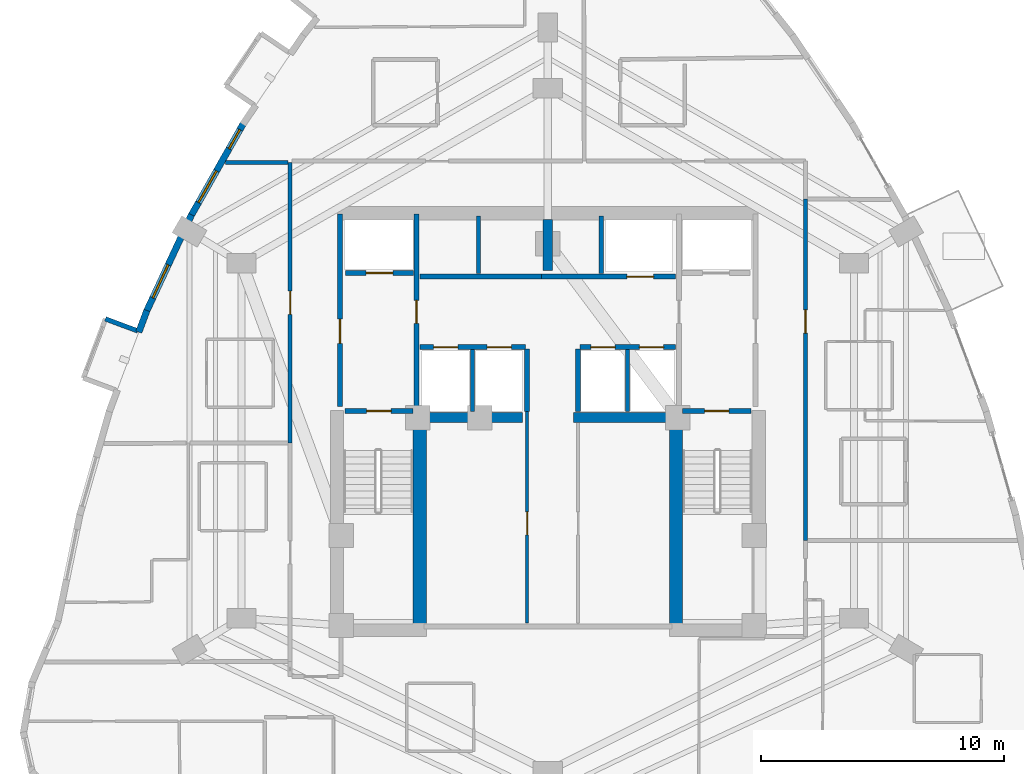
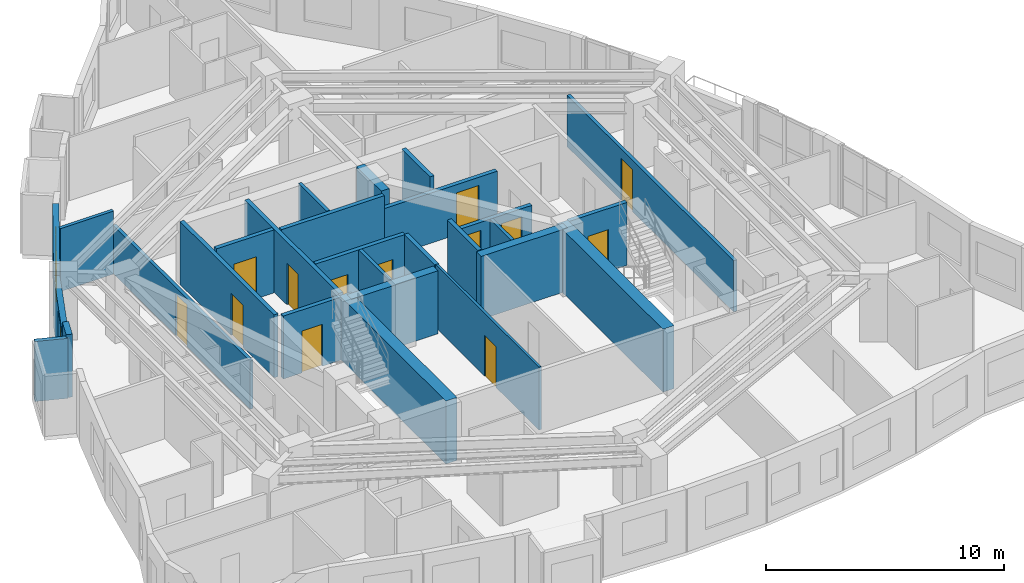
# One storey, part 10 of 14: 28 walls, 13 doors, 3 windows, 16 openings.
"""IFC4 building model written with IfcOpenShell, lengths in metres."""

import ifcopenshell
import ifcopenshell.guid

model = None  # the IFC model being written
_history = None  # IfcOwnerHistory: only IFC2X3 demands one
_inside = {}  # id of a spatial element -> (the spatial element, [elements in it])
_under = {}  # id of a project, library or spatial element -> (it, [spatial elements below it])
_declared = {}  # id of a project -> (the project, [libraries it declares])
_typed = {}  # id of a type object -> (the type object, [elements of that type])
_made_of = {}  # id of a material, layer set ... -> (it, [elements and type objects made of it])


def new_model(schema):
    """Start an empty IFC model of exactly this schema.

    Asked for "IFC4X3", IfcOpenShell would pick the latest addendum, in which some entities
    have other attributes; the version numbers below select the first issue.
    IFC2X3 requires an IfcOwnerHistory on every rooted entity: one is made here for all.
    """
    global model, _history
    if schema == "IFC4X3":
        model = ifcopenshell.file(schema_version=(4, 3, 0, 0))
    else:
        model = ifcopenshell.file(schema=schema)
    _inside.clear()
    _under.clear()
    _declared.clear()
    _typed.clear()
    _made_of.clear()
    _history = None
    if model.schema == "IFC2X3":
        org = make("IfcOrganization", Name="unknown")
        user = make(
            "IfcPersonAndOrganization",
            ThePerson=make("IfcPerson", FamilyName="unknown"),
            TheOrganization=org,
        )
        app = make(
            "IfcApplication",
            ApplicationDeveloper=org,
            Version="unknown",
            ApplicationFullName="unknown",
            ApplicationIdentifier="unknown",
        )
        _history = make(
            "IfcOwnerHistory",
            OwningUser=user,
            OwningApplication=app,
            ChangeAction="ADDED",
            CreationDate=0,
        )
    return model


def make(cls, **values):
    """One entity of the class cls with the attributes given. An attribute that is None is left unset."""
    return model.create_entity(
        cls, **{name: value for name, value in values.items() if value is not None}
    )


def rooted(cls, **values):
    """An entity with a GlobalId (a new one), such as an element, a storey or a relation."""
    return make(cls, GlobalId=ifcopenshell.guid.new(), OwnerHistory=_history, **values)


def si_unit(unit_type, name, prefix=None):
    """IfcSIUnit, for example si_unit("LENGTHUNIT", "METRE", prefix="MILLI")."""
    return make("IfcSIUnit", UnitType=unit_type, Prefix=prefix, Name=name)


def assignment(units):
    """IfcUnitAssignment: the units of a project."""
    return None if units is None else make("IfcUnitAssignment", Units=units)


def point(xyz):
    """IfcCartesianPoint."""
    return None if xyz is None else make("IfcCartesianPoint", Coordinates=xyz)


def direction(xyz):
    """IfcDirection."""
    return None if xyz is None else make("IfcDirection", DirectionRatios=xyz)


def frame(location, z_axis=None, x_axis=None):
    """IfcAxis2Placement3D, a coordinate frame: its origin and axes. An axis left out is left unset."""
    return make(
        "IfcAxis2Placement3D",
        Location=point(location),
        Axis=direction(z_axis),
        RefDirection=direction(x_axis),
    )


def frame_2d(location, x_axis=None):
    """IfcAxis2Placement2D, a coordinate frame in the plane: its origin and x axis."""
    return make(
        "IfcAxis2Placement2D", Location=point(location), RefDirection=direction(x_axis)
    )


def origin():
    """The frame at (0, 0, 0) with its axes left unset."""
    return frame((0.0, 0.0, 0.0))


def place(relative_to, where):
    """IfcLocalPlacement: puts the frame where relative to a parent placement (None: the world)."""
    return make(
        "IfcLocalPlacement", PlacementRelTo=relative_to, RelativePlacement=where
    )


def context(
    kind, dimensions, precision=None, world=None, true_north=None, identifier=None
):
    """IfcGeometricRepresentationContext, for example the 3D "Model" context."""
    return make(
        "IfcGeometricRepresentationContext",
        ContextIdentifier=identifier,
        ContextType=kind,
        CoordinateSpaceDimension=dimensions,
        Precision=precision,
        WorldCoordinateSystem=world,
        TrueNorth=true_north,
    )


def subcontext(parent, identifier, kind, view, scale=None):
    """IfcGeometricRepresentationSubContext, for example "Body" below "Model"."""
    return make(
        "IfcGeometricRepresentationSubContext",
        ContextIdentifier=identifier,
        ContextType=kind,
        ParentContext=parent,
        TargetScale=scale,
        TargetView=view,
    )


def project(units=None, contexts=None):
    """IfcProject with its units and contexts."""
    return rooted(
        "IfcProject",
        Name="project",
        RepresentationContexts=contexts,
        UnitsInContext=assignment(units),
    )


def spatial(cls, under=None, at=None, **own):
    """A site, building, storey or space (cls), placed at a placement, below another one or the project."""
    s = rooted(cls, ObjectPlacement=at, **own)
    if under is not None:
        _under.setdefault(under.id(), (under, []))[1].append(s)
    return s


def profile(cls, at=None, kind="AREA", **sizes):
    """A parametric profile (cls). Its sizes go by their IFC names, for example OverallWidth=200.0."""
    return make(cls, ProfileType=kind, Position=at, **sizes)


def rectangle(**sizes):
    """IfcRectangleProfileDef."""
    return profile("IfcRectangleProfileDef", **sizes)


def extrude(swept, where, along, depth):
    """IfcExtrudedAreaSolid: the profile swept, set in the frame where, extruded along a direction by depth."""
    return make(
        "IfcExtrudedAreaSolid",
        SweptArea=swept,
        Position=where,
        ExtrudedDirection=direction(along),
        Depth=depth,
    )


def shape(context_of_items, identifier, shape_type, items):
    """IfcShapeRepresentation: the items that make up one representation, for example the "Body"."""
    return make(
        "IfcShapeRepresentation",
        ContextOfItems=context_of_items,
        RepresentationIdentifier=identifier,
        RepresentationType=shape_type,
        Items=items,
    )


def material(Name=None, Category=None):
    """IfcMaterial."""
    return make("IfcMaterial", Name=Name, Category=Category)


def layer(
    of_material, thickness, ventilated=None, Name=None, Category=None, Priority=None
):
    """IfcMaterialLayer: one layer of a wall or slab, of a material (None: an air gap)."""
    return make(
        "IfcMaterialLayer",
        Material=of_material,
        LayerThickness=thickness,
        IsVentilated=ventilated,
        Name=Name,
        Category=Category,
        Priority=Priority,
    )


def layer_set(layers, Name=None):
    """IfcMaterialLayerSet."""
    return make("IfcMaterialLayerSet", MaterialLayers=layers, LayerSetName=Name)


def made_of(thing, what):
    """Note that an element or type object is made of a material, layer set ...; save() writes the relation."""
    if what is not None:
        _made_of.setdefault(what.id(), (what, []))[1].append(thing)
    return thing


def type_object(cls, material=None, **own):
    """A type object (cls), such as IfcWallType, which elements share."""
    return made_of(rooted(cls, **own), material)


def element(
    cls,
    number,
    at=None,
    inside=None,
    cuts=None,
    type_object=None,
    material=None,
    context=None,
    identifier="Body",
    shape_type=None,
    held_by="IfcProductDefinitionShape",
    body=None,
    shapes=None,
    **own,
):
    """One element of the class cls, such as IfcWall. Its Tag is "e" and its number.

    at: its placement. inside: the storey or other place that contains it. cuts: it is an
    opening in that element (IfcRelVoidsElement). A single representation is given by context,
    identifier, shape_type and body (its items); several are given by shapes. held_by: the class
    of the entity that holds the representations. save() writes the other relations.
    """
    e = rooted(cls, Tag="e%d" % number, ObjectPlacement=at, **own)
    if body is not None:
        shapes = [shape(context, identifier, shape_type, body)]
    if shapes is not None:
        e.Representation = make(held_by, Representations=shapes)
    if inside is not None:
        _inside.setdefault(inside.id(), (inside, []))[1].append(e)
    if cuts is not None:
        rooted(
            "IfcRelVoidsElement", RelatingBuildingElement=cuts, RelatedOpeningElement=e
        )
    if type_object is not None:
        _typed.setdefault(type_object.id(), (type_object, []))[1].append(e)
    return made_of(e, material)


def fill(opening, filler):
    """IfcRelFillsElement: the door or window that sits in an opening."""
    return rooted(
        "IfcRelFillsElement",
        RelatingOpeningElement=opening,
        RelatedBuildingElement=filler,
    )


def aggregate(whole, parts):
    """IfcRelAggregates: a whole, such as a stair, and the parts it consists of."""
    return rooted("IfcRelAggregates", RelatingObject=whole, RelatedObjects=parts)


def save(model, path):
    """Write the relations noted so far, then the file.

    IfcRelAggregates (storeys below a building ...), IfcRelContainedInSpatialStructure (elements
    in a storey), IfcRelDefinesByType, IfcRelAssociatesMaterial and IfcRelDeclares: one each for
    every whole, place, type object, material and project.
    """
    for whole, parts in _under.values():
        aggregate(whole, parts)
    for where, things in _inside.values():
        rooted(
            "IfcRelContainedInSpatialStructure",
            RelatedElements=things,
            RelatingStructure=where,
        )
    for kind, things in _typed.values():
        rooted("IfcRelDefinesByType", RelatedObjects=things, RelatingType=kind)
    for what, things in _made_of.values():
        rooted("IfcRelAssociatesMaterial", RelatedObjects=things, RelatingMaterial=what)
    for by, libraries in _declared.values():
        rooted("IfcRelDeclares", RelatingContext=by, RelatedDefinitions=libraries)
    model.write(path)


model = new_model("IFC4")

# Units and contexts
model_context = context("Model", 3, precision=1e-05, world=origin(), true_north=direction((0.0, 1.0)))
body_context = subcontext(model_context, "Body", "Model", "MODEL_VIEW")
ifc_project = project(units=[si_unit("LENGTHUNIT", "METRE"), si_unit("AREAUNIT", "SQUARE_METRE"), si_unit("VOLUMEUNIT", "CUBIC_METRE"), si_unit("PLANEANGLEUNIT", "RADIAN"), si_unit("MASSUNIT", "GRAM", prefix="KILO")], contexts=[model_context])

# Site, building, storey
site_placement = place(None, origin())
site = spatial("IfcSite", under=ifc_project, at=site_placement, CompositionType="ELEMENT")
building_placement = place(site_placement, origin())
building = spatial("IfcBuilding", under=site, at=building_placement, Name="Miruveldt Soraemaru", CompositionType="ELEMENT")
storey_placement = place(building_placement, frame((0.0, 0.0, 142.39990234375)))
storey = spatial("IfcBuildingStorey", under=building, at=storey_placement, Name="L39", CompositionType="ELEMENT", Elevation=142.39990234375)

# Walls
ifc_material_1 = material(Name="White powder-coated aluminium EN AW-6060 T6", Category="aluminium")
ifc_layer_1 = layer(ifc_material_1, 0.18994140625, Name="White powder-coated aluminium EN AW-6060 T6", Category="aluminium")
ifc_layer_set_1 = layer_set([ifc_layer_1], Name="White powder-coated aluminium EN AW-6060 T6")
wall_type_1 = type_object("IfcWallType", Name="WALL-BAY-ALU190", PredefinedType="SOLIDWALL", material=ifc_layer_set_1)
wall_1_placement = place(storey_placement, frame((27.132080078125, 47.614501953125, 0.0), z_axis=(0.0, 0.0, 1.0), x_axis=(-0.937108491365, 0.349038214831, 0.0)))
element("IfcWall", 1, at=wall_1_placement, inside=storey, type_object=wall_type_1, Name="L39 Bay Window Side Cheek 1L", PredefinedType="SOLIDWALL", context=body_context, shape_type="SweptSolid", body=[
    extrude(rectangle(XDim=1.4248046875, YDim=0.18994140625, at=frame_2d((0.71240234375, 0.0))), origin(), (0.0, 0.0, 1.0), 3.085205078125),
])
ifc_material_2 = material(Name="Concrete C70/85 (70 MPa)", Category="concrete")
ifc_layer_2 = layer(ifc_material_2, 0.5, Name="Concrete C70/85 (70 MPa)", Category="concrete")
ifc_layer_set_2 = layer_set([ifc_layer_2], Name="Concrete C70/85 (70 MPa)")
wall_type_2 = type_object("IfcWallType", Name="WALL-BW-500", PredefinedType="SHEAR", material=ifc_layer_set_2)
wall_2_placement = place(storey_placement, frame((44.0, 50.10009765625, 0.0), z_axis=(0.0, 0.0, 1.0), x_axis=(0.0, 1.0, 0.0)))
element("IfcWall", 2, at=wall_2_placement, inside=storey, type_object=wall_type_2, Name="L39 Core Buttress Shear Wall BN", PredefinedType="SHEAR", context=body_context, shape_type="SweptSolid", body=[
    extrude(rectangle(XDim=2.099853515625, YDim=0.39990234375, at=frame_2d((1.0498046875, 0.0))), origin(), (0.0, 0.0, 1.0), 3.235107421875),
])
for number, where, z_axis, x_axis, name in (
    (3, (38.75, 44.050048828125, 0.0), (0.0, 0.0, 1.0), (1.0, 0.0, 0.0), "L39 Core Buttress Shear Wall BW"),
    (4, (45.050048828125, 44.050048828125, 0.0), (0.0, 0.0, 1.0), (1.0, 0.0, 0.0), "L39 Core Buttress Shear Wall BE"),
):
    element("IfcWall", number, at=place(storey_placement, frame(where, z_axis=z_axis, x_axis=x_axis)), inside=storey, type_object=wall_type_2, Name=name, PredefinedType="SHEAR", context=body_context, shape_type="SweptSolid", body=[
        extrude(rectangle(XDim=4.199951171875, YDim=0.39990234375, at=frame_2d((2.10009765625, 0.0))), origin(), (0.0, 0.0, 1.0), 3.235107421875),
    ])
ifc_layer_3 = layer(ifc_material_2, 0.550048828125, Name="Concrete C70/85 (70 MPa)", Category="concrete")
ifc_layer_set_3 = layer_set([ifc_layer_3], Name="Concrete C70/85 (70 MPa)")
wall_type_3 = type_object("IfcWallType", Name="WALL-CW-550", PredefinedType="SHEAR", material=ifc_layer_set_3)
for number, where, z_axis, x_axis, name in (
    (5, (38.72509765625, 35.39990234375, 0.0), (0.0, 0.0, 1.0), (0.0, 1.0, 0.0), "L39 Central Core Shear Wall SW-INT"),
    (6, (49.27490234375, 35.39990234375, 0.0), (0.0, 0.0, 1.0), (0.0, 1.0, 0.0), "L39 Central Core Shear Wall SE-INT"),
):
    element("IfcWall", number, at=place(storey_placement, frame(where, z_axis=z_axis, x_axis=x_axis)), inside=storey, type_object=wall_type_3, Name=name, PredefinedType="SHEAR", context=body_context, shape_type="SweptSolid", body=[
        extrude(rectangle(XDim=8.9501953125, YDim=0.550048828125, at=frame_2d((4.47509765625, 0.0))), origin(), (0.0, 0.0, 1.0), 3.235107421875),
    ])

# Wall, openings, windows
ifc_material_3 = material(Name="Precast concrete C45/55 (45 MPa)", Category="concrete")
ifc_layer_4 = layer(ifc_material_3, 0.27001953125, Name="Precast concrete C45/55 (45 MPa)", Category="concrete")
ifc_layer_set_4 = layer_set([ifc_layer_4], Name="Precast concrete C45/55 (45 MPa)")
wall_type_4 = type_object("IfcWallType", Name="WALL-EXT-PC270", PredefinedType="SOLIDWALL", material=ifc_layer_set_4)
wall_3_placement = place(storey_placement, frame((31.48828125, 56.173095703125, 0.0), z_axis=(0.0, 0.0, 1.0), x_axis=(-0.49336696039, -0.869821270374, 0.0)))
wall_3 = element("IfcWall", 7, at=wall_3_placement, inside=storey, type_object=wall_type_4, Name="L39 Precast Concrete Facade Wall 10", PredefinedType="SOLIDWALL", context=body_context, shape_type="SweptSolid", body=[
    extrude(rectangle(XDim=4.41455078125, YDim=0.27001953125, at=frame_2d((2.207275390625, 0.0))), origin(), (0.0, 0.0, 1.0), 3.235107421875),
])
opening_1_placement = place(wall_3_placement, frame((0.320068359375, 0.0, 0.780029296875)))
opening_1 = element("IfcOpeningElement", 8, at=opening_1_placement, cuts=wall_3, Name="Opening WN-7", PredefinedType="OPENING", context=body_context, shape_type="SweptSolid", body=[
    extrude(rectangle(XDim=0.89990234375, YDim=1.5, at=frame_2d((0.449951171875, 0.75))), frame((0.0, 0.14501953125, 0.0), z_axis=(0.0, -1.0, 0.0), x_axis=(1.0, 0.0, 0.0)), (0.0, 0.0, 1.0), 0.2900390625),
])
opening_2_placement = place(wall_3_placement, frame((2.26806640625, 0.0, 0.800048828125)))
opening_2 = element("IfcOpeningElement", 9, at=opening_2_placement, cuts=wall_3, Name="Opening WN-3", PredefinedType="OPENING", context=body_context, shape_type="SweptSolid", body=[
    extrude(rectangle(XDim=1.5, YDim=1.60009765625, at=frame_2d((0.75, 0.800048828125))), frame((0.0, 0.14501953125, 0.0), z_axis=(0.0, -1.0, 0.0), x_axis=(1.0, 0.0, 0.0)), (0.0, 0.0, 1.0), 0.2900390625),
])
ifc_material_4 = material(Name="Triple low-e insulated glazing", Category="glass")
window_type_1 = type_object("IfcWindowType", Name="WIN-PUNCH-1500x1600", PartitioningType="SINGLE_PANEL", PredefinedType="WINDOW", material=ifc_material_4)
window_1_placement = place(opening_2_placement, origin())
window_1 = element("IfcWindow", 10, at=window_1_placement, inside=storey, type_object=window_type_1, Name="L39 Punched Triple-Glazed Window 10.2", OverallHeight=1.60009765625, OverallWidth=1.5, PartitioningType="SINGLE_PANEL", PredefinedType="WINDOW", context=body_context, shape_type="SweptSolid", body=[
    extrude(rectangle(XDim=1.5, YDim=1.60009765625, at=frame_2d((0.75, 0.800048828125))), frame((0.0, 0.030029296875, 0.0), z_axis=(0.0, -1.0, 0.0), x_axis=(1.0, 0.0, 0.0)), (0.0, 0.0, 1.0), 0.06005859375),
])
fill(opening_2, window_1)
window_type_2 = type_object("IfcWindowType", Name="WIN-PUNCH-900x1500", PartitioningType="SINGLE_PANEL", PredefinedType="WINDOW", material=ifc_material_4)
window_2_placement = place(opening_1_placement, origin())
window_2 = element("IfcWindow", 11, at=window_2_placement, inside=storey, type_object=window_type_2, Name="L39 Punched Triple-Glazed Window 10.1", OverallHeight=1.5, OverallWidth=0.89990234375, PartitioningType="SINGLE_PANEL", PredefinedType="WINDOW", context=body_context, shape_type="SweptSolid", body=[
    extrude(rectangle(XDim=0.89990234375, YDim=1.5, at=frame_2d((0.449951171875, 0.75))), frame((0.0, 0.030029296875, 0.0), z_axis=(0.0, -1.0, 0.0), x_axis=(1.0, 0.0, 0.0)), (0.0, 0.0, 1.0), 0.06005859375),
])
fill(opening_1, window_2)

# Wall, opening, window
wall_4_placement = place(storey_placement, frame((29.342529296875, 52.3955078125, 0.0), z_axis=(0.0, 0.0, 1.0), x_axis=(-0.42228895576, -0.906461272114, 0.0)))
wall_4 = element("IfcWall", 12, at=wall_4_placement, inside=storey, type_object=wall_type_4, Name="L39 Precast Concrete Facade Wall 11", PredefinedType="SOLIDWALL", context=body_context, shape_type="SweptSolid", body=[
    extrude(rectangle(XDim=4.41455078125, YDim=0.27001953125, at=frame_2d((2.207275390625, 0.0))), origin(), (0.0, 0.0, 1.0), 2.635009765625),
])
opening_3_placement = place(wall_4_placement, frame((2.27197265625, 0.0, 0.800048828125)))
opening_3 = element("IfcOpeningElement", 13, at=opening_3_placement, cuts=wall_4, Name="Opening WN-3", PredefinedType="OPENING", context=body_context, shape_type="SweptSolid", body=[
    extrude(rectangle(XDim=1.5, YDim=1.60009765625, at=frame_2d((0.75, 0.800048828125))), frame((0.0, 0.14501953125, 0.0), z_axis=(0.0, -1.0, 0.0), x_axis=(1.0, 0.0, 0.0)), (0.0, 0.0, 1.0), 0.2900390625),
])
window_3_placement = place(opening_3_placement, origin())
window_3 = element("IfcWindow", 14, at=window_3_placement, inside=storey, type_object=window_type_1, Name="L39 Punched Triple-Glazed Window 11.1", OverallHeight=1.60009765625, OverallWidth=1.5, PartitioningType="SINGLE_PANEL", PredefinedType="WINDOW", context=body_context, shape_type="SweptSolid", body=[
    extrude(rectangle(XDim=1.5, YDim=1.60009765625, at=frame_2d((0.75, 0.800048828125))), frame((0.0, 0.030029296875, 0.0), z_axis=(0.0, -1.0, 0.0), x_axis=(1.0, 0.0, 0.0)), (0.0, 0.0, 1.0), 0.06005859375),
])
fill(opening_3, window_3)

# Wall
wall_5_placement = place(storey_placement, frame((27.505126953125, 48.45849609375, 0.0), z_axis=(0.0, 0.0, 1.0), x_axis=(-0.349069248763, -0.937096931789, 0.0)))
element("IfcWall", 15, at=wall_5_placement, inside=storey, type_object=wall_type_4, Name="L39 Precast Pier Wall 12A", PredefinedType="SOLIDWALL", context=body_context, shape_type="SweptSolid", body=[
    extrude(rectangle(XDim=0.951171875, YDim=0.27001953125, at=frame_2d((0.4755859375, 0.0))), origin(), (0.0, 0.0, 1.0), 3.235107421875),
])

# Wall, opening, door
ifc_material_5 = material(Name="Gypsum plasterboard lining", Category="gypsum")
ifc_layer_5 = layer(ifc_material_5, 0.1201171875, Name="Gypsum plasterboard lining", Category="gypsum")
ifc_layer_set_5 = layer_set([ifc_layer_5], Name="Gypsum plasterboard lining")
wall_type_5 = type_object("IfcWallType", Name="WALL-INT-P120", PredefinedType="PARTITIONING", material=ifc_layer_set_5)
wall_6_placement = place(storey_placement, frame((43.14990234375, 35.60009765625, 0.0), z_axis=(0.0, 0.0, 1.0), x_axis=(0.0, 1.0, 0.0)))
wall_6 = element("IfcWall", 16, at=wall_6_placement, inside=storey, type_object=wall_type_5, Name="L39 Core Compartment Wall SP-WL", PredefinedType="PARTITIONING", context=body_context, shape_type="SweptSolid", body=[
    extrude(rectangle(XDim=8.699951171875, YDim=0.1201171875, at=frame_2d((4.35009765625, 0.0))), origin(), (0.0, 0.0, 1.0), 3.235107421875),
])
opening_4_placement = place(wall_6_placement, frame((3.625, 0.0, 0.0)))
opening_4 = element("IfcOpeningElement", 17, at=opening_4_placement, cuts=wall_6, Name="Opening D2", PredefinedType="OPENING", context=body_context, shape_type="SweptSolid", body=[
    extrude(rectangle(XDim=0.949951171875, YDim=2.10009765625, at=frame_2d((0.47509765625, 1.050048828125))), frame((0.0, 0.070068359375, 0.0), z_axis=(0.0, -1.0, 0.0), x_axis=(1.0, 0.0, 0.0)), (0.0, 0.0, 1.0), 0.14013671875),
])
ifc_material_6 = material(Name="Anodised aluminium EN AW-6063 T6", Category="aluminium")
door_type_1 = type_object("IfcDoorType", Name="DOOR-INT-950", OperationType="NOTDEFINED", PredefinedType="DOOR", material=ifc_material_6)
door_1_placement = place(opening_4_placement, origin())
door_1 = element("IfcDoor", 18, at=door_1_placement, inside=storey, type_object=door_type_1, Name="L39 Fire Door", OperationType="SINGLE_SWING_LEFT", OverallHeight=2.10009765625, OverallWidth=0.949951171875, PredefinedType="DOOR", context=body_context, shape_type="SweptSolid", body=[
    extrude(rectangle(XDim=0.949951171875, YDim=2.10009765625, at=frame_2d((0.47509765625, 1.050048828125))), frame((0.0, 0.02490234375, 0.0), z_axis=(0.0, -1.0, 0.0), x_axis=(1.0, 0.0, 0.0)), (0.0, 0.0, 1.0), 0.050048828125),
])
fill(opening_4, door_1)

ifc_material_7 = material(Name="Concrete C40/50 (40 MPa)", Category="concrete")
ifc_layer_6 = layer(ifc_material_7, 0.159912109375, Name="Concrete C40/50 (40 MPa)", Category="concrete")
ifc_layer_set_6 = layer_set([ifc_layer_6], Name="Concrete C40/50 (40 MPa)")
wall_type_6 = type_object("IfcWallType", Name="WALL-INT-RC160", PredefinedType="SOLIDWALL", material=ifc_layer_set_6)
wall_7_placement = place(storey_placement, frame((54.60009765625, 39.00390625, 0.0), z_axis=(0.0, 0.0, 1.0), x_axis=(0.0, 1.0, 0.0)))
wall_7 = element("IfcWall", 19, at=wall_7_placement, inside=storey, type_object=wall_type_6, Name="L39 Partition Wall 12", PredefinedType="SOLIDWALL", context=body_context, shape_type="SweptSolid", body=[
    extrude(rectangle(XDim=14.041015625, YDim=0.159912109375, at=frame_2d((7.0205078125, 0.0))), origin(), (0.0, 0.0, 1.0), 2.635009765625),
])
opening_5_placement = place(wall_7_placement, frame((8.52587890625, 0.0, 0.0)))
opening_5 = element("IfcOpeningElement", 20, at=opening_5_placement, cuts=wall_7, Name="Opening FD2", PredefinedType="OPENING", context=body_context, shape_type="SweptSolid", body=[
    extrude(rectangle(XDim=0.949951171875, YDim=2.14990234375, at=frame_2d((0.47509765625, 1.074951171875))), frame((0.0, 0.08984375, 0.0), z_axis=(0.0, -1.0, 0.0), x_axis=(1.0, 0.0, 0.0)), (0.0, 0.0, 1.0), 0.179931640625),
])
door_type_2 = type_object("IfcDoorType", Name="DOOR-FD2-950", OperationType="NOTDEFINED", PredefinedType="DOOR", material=ifc_material_6)
door_2_placement = place(opening_5_placement, origin())
door_2 = element("IfcDoor", 21, at=door_2_placement, inside=storey, type_object=door_type_2, Name="L39 Unit 3907 Entrance Fire Door", OperationType="SINGLE_SWING_RIGHT", OverallHeight=2.14990234375, OverallWidth=0.949951171875, PredefinedType="DOOR", context=body_context, shape_type="SweptSolid", body=[
    extrude(rectangle(XDim=0.949951171875, YDim=2.14990234375, at=frame_2d((0.47509765625, 1.074951171875))), frame((0.0, 0.02490234375, 0.0), z_axis=(0.0, -1.0, 0.0), x_axis=(1.0, 0.0, 0.0)), (0.0, 0.0, 1.0), 0.050048828125),
])
fill(opening_5, door_2)

wall_8_placement = place(storey_placement, frame((33.39990234375, 54.547119140625, 0.0), z_axis=(0.0, 0.0, 1.0), x_axis=(0.0, -1.0, 0.0)))
wall_8 = element("IfcWall", 22, at=wall_8_placement, inside=storey, type_object=wall_type_6, Name="L39 Partition Wall 4", PredefinedType="SOLIDWALL", context=body_context, shape_type="SweptSolid", body=[
    extrude(rectangle(XDim=11.544189453125, YDim=0.159912109375, at=frame_2d((5.77197265625, 0.0))), origin(), (0.0, 0.0, 1.0), 2.47314453125),
])
opening_6_placement = place(wall_8_placement, frame((5.297119140625, 0.0, 0.0)))
opening_6 = element("IfcOpeningElement", 23, at=opening_6_placement, cuts=wall_8, Name="Opening FD2", PredefinedType="OPENING", context=body_context, shape_type="SweptSolid", body=[
    extrude(rectangle(XDim=0.949951171875, YDim=2.14990234375, at=frame_2d((0.47509765625, 1.074951171875))), frame((0.0, 0.08984375, 0.0), z_axis=(0.0, -1.0, 0.0), x_axis=(1.0, 0.0, 0.0)), (0.0, 0.0, 1.0), 0.179931640625),
])
door_3_placement = place(opening_6_placement, origin())
door_3 = element("IfcDoor", 24, at=door_3_placement, inside=storey, type_object=door_type_2, Name="L39 Unit CL03 Entrance Fire Door", OperationType="SINGLE_SWING_LEFT", OverallHeight=2.14990234375, OverallWidth=0.949951171875, PredefinedType="DOOR", context=body_context, shape_type="SweptSolid", body=[
    extrude(rectangle(XDim=0.949951171875, YDim=2.14990234375, at=frame_2d((0.47509765625, 1.074951171875))), frame((0.0, 0.02490234375, 0.0), z_axis=(0.0, -1.0, 0.0), x_axis=(1.0, 0.0, 0.0)), (0.0, 0.0, 1.0), 0.050048828125),
])
fill(opening_6, door_3)

# Walls
wall_9_placement = place(storey_placement, frame((30.739990234375, 54.550048828125, 0.0), z_axis=(0.0, 0.0, 1.0), x_axis=(1.0, 0.0, 0.0)))
element("IfcWall", 25, at=wall_9_placement, inside=storey, type_object=wall_type_6, Name="L39 Partition Wall 25", PredefinedType="SOLIDWALL", context=body_context, shape_type="SweptSolid", body=[
    extrude(rectangle(XDim=2.576904296875, YDim=0.159912109375, at=frame_2d((1.28857421875, 0.0))), origin(), (0.0, 0.0, 1.0), 3.235107421875),
])
wall_10_placement = place(storey_placement, frame((40.89990234375, 44.300048828125, 0.0), z_axis=(0.0, 0.0, 1.0), x_axis=(0.0, 1.0, 0.0)))
element("IfcWall", 26, at=wall_10_placement, inside=storey, type_object=wall_type_6, Name="L39 Core Compartment Wall PLM-DW", PredefinedType="SOLIDWALL", context=body_context, shape_type="SweptSolid", body=[
    extrude(rectangle(XDim=2.550048828125, YDim=0.159912109375, at=frame_2d((1.27490234375, 0.0))), origin(), (0.0, 0.0, 1.0), 3.235107421875),
])
wall_11_placement = place(storey_placement, frame((47.280029296875, 44.300048828125, 0.0), z_axis=(0.0, 0.0, 1.0), x_axis=(0.0, 1.0, 0.0)))
element("IfcWall", 27, at=wall_11_placement, inside=storey, type_object=wall_type_6, Name="L39 Core Compartment Wall PLM-DE", PredefinedType="SOLIDWALL", context=body_context, shape_type="SweptSolid", body=[
    extrude(rectangle(XDim=2.550048828125, YDim=0.159912109375, at=frame_2d((1.27490234375, 0.0))), origin(), (0.0, 0.0, 1.0), 2.572998046875),
])
wall_12_placement = place(storey_placement, frame((41.14990234375, 49.97998046875, 0.0), z_axis=(0.0, 0.0, 1.0), x_axis=(0.0, 1.0, 0.0)))
element("IfcWall", 28, at=wall_12_placement, inside=storey, type_object=wall_type_6, Name="L39 Core Compartment Wall PLH-DIV1", PredefinedType="SOLIDWALL", context=body_context, shape_type="SweptSolid", body=[
    extrude(rectangle(XDim=2.3701171875, YDim=0.159912109375, at=frame_2d((1.18505859375, 0.0))), origin(), (0.0, 0.0, 1.0), 3.235107421875),
])

# Wall, opening, door
ifc_layer_7 = layer(ifc_material_7, 0.199951171875, Name="Concrete C40/50 (40 MPa)", Category="concrete")
ifc_layer_set_7 = layer_set([ifc_layer_7], Name="Concrete C40/50 (40 MPa)")
wall_type_7 = type_object("IfcWallType", Name="WALL-INT-RC200", PredefinedType="SOLIDWALL", material=ifc_layer_set_7)
wall_13_placement = place(storey_placement, frame((35.449951171875, 44.5, 0.0), z_axis=(0.0, 0.0, 1.0), x_axis=(0.0, 1.0, 0.0)))
wall_13 = element("IfcWall", 29, at=wall_13_placement, inside=storey, type_object=wall_type_7, Name="L39 Core Compartment Wall FFW-OUT", PredefinedType="SOLIDWALL", context=body_context, shape_type="SweptSolid", body=[
    extrude(rectangle(XDim=7.919921875, YDim=0.199951171875, at=frame_2d((3.9599609375, 0.0))), origin(), (0.0, 0.0, 1.0), 3.235107421875),
])
opening_7_placement = place(wall_13_placement, frame((2.60009765625, 0.0, 0.0)))
opening_7 = element("IfcOpeningElement", 30, at=opening_7_placement, cuts=wall_13, Name="Opening FD1", PredefinedType="OPENING", context=body_context, shape_type="SweptSolid", body=[
    extrude(rectangle(XDim=1.0, YDim=2.14990234375, at=frame_2d((0.5, 1.074951171875))), frame((0.0, 0.10986328125, 0.0), z_axis=(0.0, -1.0, 0.0), x_axis=(1.0, 0.0, 0.0)), (0.0, 0.0, 1.0), 0.219970703125),
])
door_type_3 = type_object("IfcDoorType", Name="DOOR-FD1-1000", OperationType="NOTDEFINED", PredefinedType="DOOR", material=ifc_material_6)
door_4_placement = place(opening_7_placement, origin())
door_4 = element("IfcDoor", 31, at=door_4_placement, inside=storey, type_object=door_type_3, Name="L39 West Firefighting Lobby Exit Door", OperationType="SINGLE_SWING_LEFT", OverallHeight=2.14990234375, OverallWidth=1.0, PredefinedType="DOOR", context=body_context, shape_type="SweptSolid", body=[
    extrude(rectangle(XDim=1.0, YDim=2.14990234375, at=frame_2d((0.5, 1.074951171875))), frame((0.0, 0.02490234375, 0.0), z_axis=(0.0, -1.0, 0.0), x_axis=(1.0, 0.0, 0.0)), (0.0, 0.0, 1.0), 0.050048828125),
])
fill(opening_7, door_4)

wall_14_placement = place(storey_placement, frame((38.60009765625, 44.5, 0.0), z_axis=(0.0, 0.0, 1.0), x_axis=(0.0, 1.0, 0.0)))
wall_14 = element("IfcWall", 32, at=wall_14_placement, inside=storey, type_object=wall_type_7, Name="L39 Core Compartment Wall FFW-IN", PredefinedType="SOLIDWALL", context=body_context, shape_type="SweptSolid", body=[
    extrude(rectangle(XDim=7.919921875, YDim=0.199951171875, at=frame_2d((3.9599609375, 0.0))), origin(), (0.0, 0.0, 1.0), 3.235107421875),
])
opening_8_placement = place(wall_14_placement, frame((3.425048828125, 0.0, 0.0)))
opening_8 = element("IfcOpeningElement", 33, at=opening_8_placement, cuts=wall_14, Name="Opening FD2", PredefinedType="OPENING", context=body_context, shape_type="SweptSolid", body=[
    extrude(rectangle(XDim=0.949951171875, YDim=2.14990234375, at=frame_2d((0.47509765625, 1.074951171875))), frame((0.0, 0.10986328125, 0.0), z_axis=(0.0, -1.0, 0.0), x_axis=(1.0, 0.0, 0.0)), (0.0, 0.0, 1.0), 0.219970703125),
])
door_5_placement = place(opening_8_placement, frame((0.949951171875, 0.0, 0.0), z_axis=(0.0, 0.0, 1.0), x_axis=(-1.0, 0.0, 0.0)))
door_5 = element("IfcDoor", 34, at=door_5_placement, inside=storey, type_object=door_type_2, Name="L39 Lift Lobby to West Fire Lobby Door", OperationType="SINGLE_SWING_RIGHT", OverallHeight=2.14990234375, OverallWidth=0.949951171875, PredefinedType="DOOR", context=body_context, shape_type="SweptSolid", body=[
    extrude(rectangle(XDim=0.949951171875, YDim=2.14990234375, at=frame_2d((0.47509765625, 1.074951171875))), frame((0.0, 0.02490234375, 0.0), z_axis=(0.0, -1.0, 0.0), x_axis=(1.0, 0.0, 0.0)), (0.0, 0.0, 1.0), 0.050048828125),
])
fill(opening_8, door_5)

wall_15_placement = place(storey_placement, frame((43.75, 49.85009765625, 0.0), z_axis=(0.0, 0.0, 1.0), x_axis=(1.0, 0.0, 0.0)))
wall_15 = element("IfcWall", 35, at=wall_15_placement, inside=storey, type_object=wall_type_7, Name="L39 Core Compartment Wall ROWA-SE", PredefinedType="SOLIDWALL", context=body_context, shape_type="SweptSolid", body=[
    extrude(rectangle(XDim=5.5, YDim=0.199951171875, at=frame_2d((2.75, 0.0))), origin(), (0.0, 0.0, 1.0), 2.572998046875),
])
opening_9_placement = place(wall_15_placement, frame((3.5, 0.0, 0.0)))
opening_9 = element("IfcOpeningElement", 36, at=opening_9_placement, cuts=wall_15, Name="Opening LD2", PredefinedType="OPENING", context=body_context, shape_type="SweptSolid", body=[
    extrude(rectangle(XDim=1.10009765625, YDim=2.14990234375, at=frame_2d((0.550048828125, 1.074951171875))), frame((0.0, 0.10986328125, 0.0), z_axis=(0.0, -1.0, 0.0), x_axis=(1.0, 0.0, 0.0)), (0.0, 0.0, 1.0), 0.219970703125),
])
door_type_4 = type_object("IfcDoorType", Name="DOOR-LD2-1100", OperationType="SLIDING_TO_LEFT", PredefinedType="DOOR", material=ifc_material_6)
door_6_placement = place(opening_9_placement, origin())
door_6 = element("IfcDoor", 37, at=door_6_placement, inside=storey, type_object=door_type_4, Name="L39 SL-1 Landing Door", OperationType="SLIDING_TO_LEFT", OverallHeight=2.14990234375, OverallWidth=1.10009765625, PredefinedType="DOOR", context=body_context, shape_type="SweptSolid", body=[
    extrude(rectangle(XDim=1.10009765625, YDim=2.14990234375, at=frame_2d((0.550048828125, 1.074951171875))), frame((0.0, 0.02490234375, 0.0), z_axis=(0.0, -1.0, 0.0), x_axis=(1.0, 0.0, 0.0)), (0.0, 0.0, 1.0), 0.050048828125),
])
fill(opening_9, door_6)

# Wall, openings, doors
wall_16_placement = place(storey_placement, frame((38.75, 46.949951171875, 0.0), z_axis=(0.0, 0.0, 1.0), x_axis=(1.0, 0.0, 0.0)))
wall_16 = element("IfcWall", 38, at=wall_16_placement, inside=storey, type_object=wall_type_7, Name="L39 Core Compartment Wall MBW-N", PredefinedType="SOLIDWALL", context=body_context, shape_type="SweptSolid", body=[
    extrude(rectangle(XDim=4.330078125, YDim=0.199951171875, at=frame_2d((2.1650390625, 0.0))), origin(), (0.0, 0.0, 1.0), 3.235107421875),
])
opening_10_placement = place(wall_16_placement, frame((0.550048828125, 0.0, 0.0)))
opening_10 = element("IfcOpeningElement", 39, at=opening_10_placement, cuts=wall_16, Name="Opening LD1B", PredefinedType="OPENING", context=body_context, shape_type="SweptSolid", body=[
    extrude(rectangle(XDim=1.0, YDim=2.14990234375, at=frame_2d((0.5, 1.074951171875))), frame((0.0, 0.10986328125, 0.0), z_axis=(0.0, -1.0, 0.0), x_axis=(1.0, 0.0, 0.0)), (0.0, 0.0, 1.0), 0.219970703125),
])
opening_11_placement = place(wall_16_placement, frame((2.75, 0.0, 0.0)))
opening_11 = element("IfcOpeningElement", 40, at=opening_11_placement, cuts=wall_16, Name="Opening LD1B", PredefinedType="OPENING", context=body_context, shape_type="SweptSolid", body=[
    extrude(rectangle(XDim=1.0, YDim=2.14990234375, at=frame_2d((0.5, 1.074951171875))), frame((0.0, 0.10986328125, 0.0), z_axis=(0.0, -1.0, 0.0), x_axis=(1.0, 0.0, 0.0)), (0.0, 0.0, 1.0), 0.219970703125),
])
door_type_5 = type_object("IfcDoorType", Name="DOOR-LD1-1000", OperationType="SLIDING_TO_LEFT", PredefinedType="DOOR", material=ifc_material_6)
door_7_placement = place(opening_10_placement, origin())
door_7 = element("IfcDoor", 41, at=door_7_placement, inside=storey, type_object=door_type_5, Name="L39 PL-M1 Landing Door", OperationType="SLIDING_TO_LEFT", OverallHeight=2.14990234375, OverallWidth=1.0, PredefinedType="DOOR", context=body_context, shape_type="SweptSolid", body=[
    extrude(rectangle(XDim=1.0, YDim=2.14990234375, at=frame_2d((0.5, 1.074951171875))), frame((0.0, 0.02490234375, 0.0), z_axis=(0.0, -1.0, 0.0), x_axis=(1.0, 0.0, 0.0)), (0.0, 0.0, 1.0), 0.050048828125),
])
fill(opening_10, door_7)
door_8_placement = place(opening_11_placement, origin())
door_8 = element("IfcDoor", 42, at=door_8_placement, inside=storey, type_object=door_type_5, Name="L39 PL-M2 Landing Door", OperationType="SLIDING_TO_LEFT", OverallHeight=2.14990234375, OverallWidth=1.0, PredefinedType="DOOR", context=body_context, shape_type="SweptSolid", body=[
    extrude(rectangle(XDim=1.0, YDim=2.14990234375, at=frame_2d((0.5, 1.074951171875))), frame((0.0, 0.02490234375, 0.0), z_axis=(0.0, -1.0, 0.0), x_axis=(1.0, 0.0, 0.0)), (0.0, 0.0, 1.0), 0.050048828125),
])
fill(opening_11, door_8)

wall_17_placement = place(storey_placement, frame((45.320068359375, 46.949951171875, 0.0), z_axis=(0.0, 0.0, 1.0), x_axis=(1.0, 0.0, 0.0)))
wall_17 = element("IfcWall", 43, at=wall_17_placement, inside=storey, type_object=wall_type_7, Name="L39 Core Compartment Wall MBE-N", PredefinedType="SOLIDWALL", context=body_context, shape_type="SweptSolid", body=[
    extrude(rectangle(XDim=3.929931640625, YDim=0.199951171875, at=frame_2d((1.96484375, 0.0))), origin(), (0.0, 0.0, 1.0), 2.572998046875),
])
opening_12_placement = place(wall_17_placement, frame((0.449951171875, 0.0, 0.0)))
opening_12 = element("IfcOpeningElement", 44, at=opening_12_placement, cuts=wall_17, Name="Opening LD1B", PredefinedType="OPENING", context=body_context, shape_type="SweptSolid", body=[
    extrude(rectangle(XDim=1.0, YDim=2.14990234375, at=frame_2d((0.5, 1.074951171875))), frame((0.0, 0.10986328125, 0.0), z_axis=(0.0, -1.0, 0.0), x_axis=(1.0, 0.0, 0.0)), (0.0, 0.0, 1.0), 0.219970703125),
])
opening_13_placement = place(wall_17_placement, frame((2.449951171875, 0.0, 0.0)))
opening_13 = element("IfcOpeningElement", 45, at=opening_13_placement, cuts=wall_17, Name="Opening LD1B", PredefinedType="OPENING", context=body_context, shape_type="SweptSolid", body=[
    extrude(rectangle(XDim=1.0, YDim=2.14990234375, at=frame_2d((0.5, 1.074951171875))), frame((0.0, 0.10986328125, 0.0), z_axis=(0.0, -1.0, 0.0), x_axis=(1.0, 0.0, 0.0)), (0.0, 0.0, 1.0), 0.219970703125),
])
door_9_placement = place(opening_12_placement, origin())
door_9 = element("IfcDoor", 46, at=door_9_placement, inside=storey, type_object=door_type_5, Name="L39 PL-M3 Landing Door", OperationType="SLIDING_TO_LEFT", OverallHeight=2.14990234375, OverallWidth=1.0, PredefinedType="DOOR", context=body_context, shape_type="SweptSolid", body=[
    extrude(rectangle(XDim=1.0, YDim=2.14990234375, at=frame_2d((0.5, 1.074951171875))), frame((0.0, 0.02490234375, 0.0), z_axis=(0.0, -1.0, 0.0), x_axis=(1.0, 0.0, 0.0)), (0.0, 0.0, 1.0), 0.050048828125),
])
fill(opening_12, door_9)
door_10_placement = place(opening_13_placement, origin())
door_10 = element("IfcDoor", 47, at=door_10_placement, inside=storey, type_object=door_type_5, Name="L39 PL-M4 Landing Door", OperationType="SLIDING_TO_LEFT", OverallHeight=2.14990234375, OverallWidth=1.0, PredefinedType="DOOR", context=body_context, shape_type="SweptSolid", body=[
    extrude(rectangle(XDim=1.0, YDim=2.14990234375, at=frame_2d((0.5, 1.074951171875))), frame((0.0, 0.02490234375, 0.0), z_axis=(0.0, -1.0, 0.0), x_axis=(1.0, 0.0, 0.0)), (0.0, 0.0, 1.0), 0.050048828125),
])
fill(opening_13, door_10)

# Wall, opening, door
wall_18_placement = place(storey_placement, frame((35.64990234375, 44.320068359375, 0.0), z_axis=(0.0, 0.0, 1.0), x_axis=(1.0, 0.0, 0.0)))
wall_18 = element("IfcWall", 48, at=wall_18_placement, inside=storey, type_object=wall_type_7, Name="L39 Core Compartment Wall ST1-N", PredefinedType="SOLIDWALL", context=body_context, shape_type="SweptSolid", body=[
    extrude(rectangle(XDim=2.800048828125, YDim=0.199951171875, at=frame_2d((1.39990234375, 0.0))), origin(), (0.0, 0.0, 1.0), 3.235107421875),
])
opening_14_placement = place(wall_18_placement, frame((0.89990234375, 0.0, 0.0)))
opening_14 = element("IfcOpeningElement", 49, at=opening_14_placement, cuts=wall_18, Name="Opening FD1", PredefinedType="OPENING", context=body_context, shape_type="SweptSolid", body=[
    extrude(rectangle(XDim=1.0, YDim=2.14990234375, at=frame_2d((0.5, 1.074951171875))), frame((0.0, 0.10986328125, 0.0), z_axis=(0.0, -1.0, 0.0), x_axis=(1.0, 0.0, 0.0)), (0.0, 0.0, 1.0), 0.219970703125),
])
door_11_placement = place(opening_14_placement, frame((1.0, 0.0, 0.0), z_axis=(0.0, 0.0, 1.0), x_axis=(-1.0, 0.0, 0.0)))
door_11 = element("IfcDoor", 50, at=door_11_placement, inside=storey, type_object=door_type_3, Name="L39 Stair ST-1 Fire Door", OperationType="SINGLE_SWING_LEFT", OverallHeight=2.14990234375, OverallWidth=1.0, PredefinedType="DOOR", context=body_context, shape_type="SweptSolid", body=[
    extrude(rectangle(XDim=1.0, YDim=2.14990234375, at=frame_2d((0.5, 1.074951171875))), frame((0.0, 0.02490234375, 0.0), z_axis=(0.0, -1.0, 0.0), x_axis=(1.0, 0.0, 0.0)), (0.0, 0.0, 1.0), 0.050048828125),
])
fill(opening_14, door_11)

wall_19_placement = place(storey_placement, frame((49.550048828125, 44.320068359375, 0.0), z_axis=(0.0, 0.0, 1.0), x_axis=(1.0, 0.0, 0.0)))
wall_19 = element("IfcWall", 51, at=wall_19_placement, inside=storey, type_object=wall_type_7, Name="L39 Core Compartment Wall ST2-N", PredefinedType="SOLIDWALL", context=body_context, shape_type="SweptSolid", body=[
    extrude(rectangle(XDim=2.800048828125, YDim=0.199951171875, at=frame_2d((1.39990234375, 0.0))), origin(), (0.0, 0.0, 1.0), 3.235107421875),
])
opening_15_placement = place(wall_19_placement, frame((0.89990234375, 0.0, 0.0)))
opening_15 = element("IfcOpeningElement", 52, at=opening_15_placement, cuts=wall_19, Name="Opening FD1", PredefinedType="OPENING", context=body_context, shape_type="SweptSolid", body=[
    extrude(rectangle(XDim=1.0, YDim=2.14990234375, at=frame_2d((0.5, 1.074951171875))), frame((0.0, 0.10986328125, 0.0), z_axis=(0.0, -1.0, 0.0), x_axis=(1.0, 0.0, 0.0)), (0.0, 0.0, 1.0), 0.219970703125),
])
door_12_placement = place(opening_15_placement, frame((1.0, 0.0, 0.0), z_axis=(0.0, 0.0, 1.0), x_axis=(-1.0, 0.0, 0.0)))
door_12 = element("IfcDoor", 53, at=door_12_placement, inside=storey, type_object=door_type_3, Name="L39 Stair ST-2 Fire Door", OperationType="SINGLE_SWING_RIGHT", OverallHeight=2.14990234375, OverallWidth=1.0, PredefinedType="DOOR", context=body_context, shape_type="SweptSolid", body=[
    extrude(rectangle(XDim=1.0, YDim=2.14990234375, at=frame_2d((0.5, 1.074951171875))), frame((0.0, 0.02490234375, 0.0), z_axis=(0.0, -1.0, 0.0), x_axis=(1.0, 0.0, 0.0)), (0.0, 0.0, 1.0), 0.050048828125),
])
fill(opening_15, door_12)

wall_20_placement = place(storey_placement, frame((35.679931640625, 50.0, 0.0), z_axis=(0.0, 0.0, 1.0), x_axis=(1.0, 0.0, 0.0)))
wall_20 = element("IfcWall", 54, at=wall_20_placement, inside=storey, type_object=wall_type_7, Name="L39 Core Compartment Wall FFL1-S", PredefinedType="SOLIDWALL", context=body_context, shape_type="SweptSolid", body=[
    extrude(rectangle(XDim=2.800048828125, YDim=0.199951171875, at=frame_2d((1.39990234375, 0.0))), origin(), (0.0, 0.0, 1.0), 3.235107421875),
])
opening_16_placement = place(wall_20_placement, frame((0.85009765625, 0.0, 0.0)))
opening_16 = element("IfcOpeningElement", 55, at=opening_16_placement, cuts=wall_20, Name="Opening LD2", PredefinedType="OPENING", context=body_context, shape_type="SweptSolid", body=[
    extrude(rectangle(XDim=1.10009765625, YDim=2.14990234375, at=frame_2d((0.550048828125, 1.074951171875))), frame((0.0, 0.10986328125, 0.0), z_axis=(0.0, -1.0, 0.0), x_axis=(1.0, 0.0, 0.0)), (0.0, 0.0, 1.0), 0.219970703125),
])
door_13_placement = place(opening_16_placement, origin())
door_13 = element("IfcDoor", 56, at=door_13_placement, inside=storey, type_object=door_type_4, Name="L39 FFL-1 Landing Door", OperationType="SLIDING_TO_LEFT", OverallHeight=2.14990234375, OverallWidth=1.10009765625, PredefinedType="DOOR", context=body_context, shape_type="SweptSolid", body=[
    extrude(rectangle(XDim=1.10009765625, YDim=2.14990234375, at=frame_2d((0.550048828125, 1.074951171875))), frame((0.0, 0.02490234375, 0.0), z_axis=(0.0, -1.0, 0.0), x_axis=(1.0, 0.0, 0.0)), (0.0, 0.0, 1.0), 0.050048828125),
])
fill(opening_16, door_13)

# Walls
wall_21_placement = place(storey_placement, frame((38.75, 49.85009765625, 0.0), z_axis=(0.0, 0.0, 1.0), x_axis=(1.0, 0.0, 0.0)))
element("IfcWall", 57, at=wall_21_placement, inside=storey, type_object=wall_type_7, Name="L39 Core Compartment Wall ROWA-SW", PredefinedType="SOLIDWALL", context=body_context, shape_type="SweptSolid", body=[
    extrude(rectangle(XDim=5.0, YDim=0.199951171875, at=frame_2d((2.5, 0.0))), origin(), (0.0, 0.0, 1.0), 3.235107421875),
])
for number, where, z_axis, x_axis, name in (
    (58, (43.14990234375, 44.300048828125, 0.0), (0.0, 0.0, 1.0), (0.0, 1.0, 0.0), "L39 Core Compartment Wall SP-WB"),
    (59, (45.25, 44.300048828125, 0.0), (0.0, 0.0, 1.0), (0.0, 1.0, 0.0), "L39 Core Compartment Wall SP-EB"),
):
    element("IfcWall", number, at=place(storey_placement, frame(where, z_axis=z_axis, x_axis=x_axis)), inside=storey, type_object=wall_type_7, Name=name, PredefinedType="SOLIDWALL", context=body_context, shape_type="SweptSolid", body=[
        extrude(rectangle(XDim=2.579833984375, YDim=0.199951171875, at=frame_2d((1.2900390625, 0.0))), origin(), (0.0, 0.0, 1.0), 3.235107421875),
    ])
wall_22_placement = place(storey_placement, frame((46.199951171875, 49.97998046875, 0.0), z_axis=(0.0, 0.0, 1.0), x_axis=(0.0, 1.0, 0.0)))
element("IfcWall", 60, at=wall_22_placement, inside=storey, type_object=wall_type_7, Name="L39 Core Compartment Wall PLH-SL-DIV", PredefinedType="SOLIDWALL", context=body_context, shape_type="SweptSolid", body=[
    extrude(rectangle(XDim=2.3701171875, YDim=0.199951171875, at=frame_2d((1.18505859375, 0.0))), origin(), (0.0, 0.0, 1.0), 3.235107421875),
])

save(model, "model.ifc")
